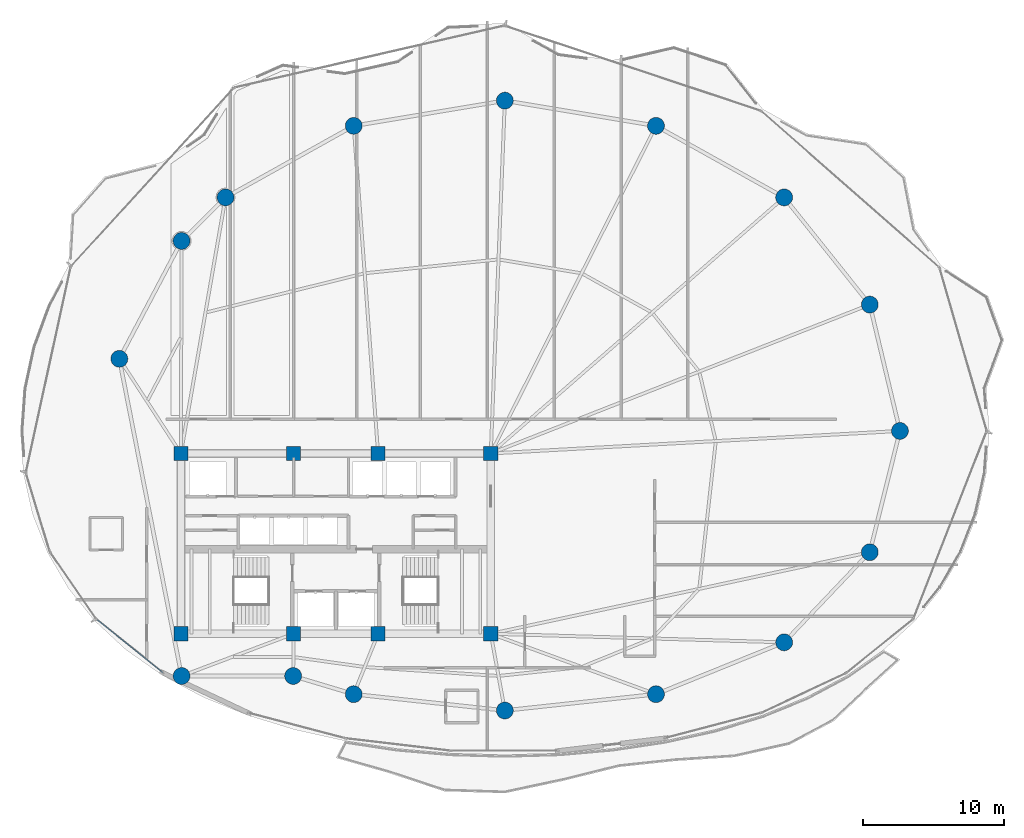
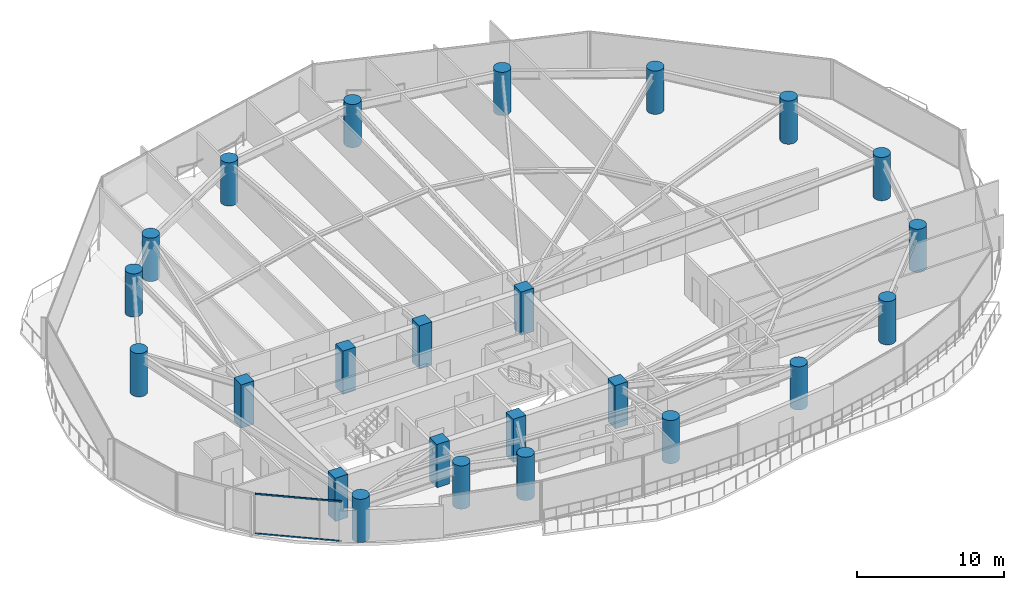
# One storey, part 1 of 34: 24 columns, 2 members, 1 element without a shape of its own.
"""IFC4 building model written with IfcOpenShell, lengths in metres."""

from ifc_helpers import new_model, si_unit, direction, frame, origin, origin_2d, place, context, subcontext, project, spatial, rectangle, hollow_rectangle, circle, extrude, material, layer, layer_set, material_profile, profile_set, type_object, element, aggregate, save


model = new_model("IFC4")

# Units and contexts
model_context = context("Model", 3, precision=1e-05, world=origin(), true_north=direction((0.0, 1.0)))
body_context = subcontext(model_context, "Body", "Model", "MODEL_VIEW")
ifc_project = project(units=[si_unit("LENGTHUNIT", "METRE"), si_unit("AREAUNIT", "SQUARE_METRE"), si_unit("VOLUMEUNIT", "CUBIC_METRE"), si_unit("PLANEANGLEUNIT", "RADIAN"), si_unit("MASSUNIT", "GRAM", prefix="KILO")], contexts=[model_context])

# Site, building, storey
site_placement = place(None, origin())
site = spatial("IfcSite", under=ifc_project, at=site_placement, CompositionType="ELEMENT")
building_placement = place(site_placement, origin())
building = spatial("IfcBuilding", under=site, at=building_placement, Name="Kazevale Care Tower and Concert Hall", CompositionType="ELEMENT")
storey_placement = place(building_placement, frame((0.0, 0.0, 174.60009765625)))
storey = spatial("IfcBuildingStorey", under=building, at=storey_placement, Name="L46", CompositionType="ELEMENT", Elevation=174.60009765625)

# Columns
ifc_material_1 = material(Name="Concrete C60", Category="concrete")
ifc_material_profile_1 = material_profile(ifc_material_1, rectangle(XDim=1.0, YDim=1.0, at=origin_2d()), Name="RC-SQ1000")
ifc_profile_set_1 = profile_set([ifc_material_profile_1], Name="Concrete C60")
column_type_1 = type_object("IfcColumnType", Name="Core Column SQ1000 C60", PredefinedType="COLUMN", material=ifc_profile_set_1)
for number, where, z_axis, x_axis, name in (
    (1, (22.0, 23.60009765625, 0.0), (0.0, 0.0, 1.0), (1.0, 0.0, 0.0), "col:L46:CC-01"),
    (2, (30.0, 23.60009765625, 0.0), (0.0, 0.0, 1.0), (1.0, 0.0, 0.0), "col:L46:CC-02"),
    (3, (36.0, 23.60009765625, 0.0), (0.0, 0.0, 1.0), (1.0, 0.0, 0.0), "col:L46:CC-03"),
    (4, (44.0, 23.60009765625, 0.0), (0.0, 0.0, 1.0), (1.0, 0.0, 0.0), "col:L46:CC-04"),
    (5, (44.0, 36.39990234375, 0.0), (0.0, 0.0, 1.0), (1.0, 0.0, 0.0), "col:L46:CC-05"),
    (6, (36.0, 36.39990234375, 0.0), (0.0, 0.0, 1.0), (1.0, 0.0, 0.0), "col:L46:CC-06"),
    (7, (30.0, 36.39990234375, 0.0), (0.0, 0.0, 1.0), (1.0, 0.0, 0.0), "col:L46:CC-07"),
    (8, (22.0, 36.39990234375, 0.0), (0.0, 0.0, 1.0), (1.0, 0.0, 0.0), "col:L46:CC-08"),
):
    element("IfcColumn", number, at=place(storey_placement, frame(where, z_axis=z_axis, x_axis=x_axis)), inside=storey, type_object=column_type_1, Name=name, PredefinedType="COLUMN", context=body_context, shape_type="SweptSolid", body=[
        extrude(rectangle(XDim=1.0, YDim=1.0, at=origin_2d()), origin(), (0.0, 0.0, 1.0), 3.599853515625),
    ])
ifc_material_profile_2 = material_profile(ifc_material_1, circle(Radius=0.60009765625, at=origin_2d()), Name="RC-CIR1200")
ifc_profile_set_2 = profile_set([ifc_material_profile_2], Name="Concrete C60")
column_type_2 = type_object("IfcColumnType", Name="Perimeter Column CIR1200 C60", PredefinedType="COLUMN", material=ifc_profile_set_2)
for number, where, z_axis, x_axis, name in (
    (9, (73.050048828125, 38.0, 0.0), (0.0, 0.0, 1.0), (1.0, 0.0, 0.0), "col:L46:PC-01"),
    (10, (70.909912109375, 46.969970703125, 0.0), (0.0, 0.0, 1.0), (1.0, 0.0, 0.0), "col:L46:PC-02"),
    (11, (64.830078125, 54.580078125, 0.0), (0.0, 0.0, 1.0), (1.0, 0.0, 0.0), "col:L46:PC-03"),
    (12, (55.72998046875, 59.659912109375, 0.0), (0.0, 0.0, 1.0), (1.0, 0.0, 0.0), "col:L46:PC-04"),
    (13, (45.0, 61.449951171875, 0.0), (0.0, 0.0, 1.0), (1.0, 0.0, 0.0), "col:L46:PC-05"),
    (14, (34.27001953125, 59.659912109375, 0.0), (0.0, 0.0, 1.0), (1.0, 0.0, 0.0), "col:L46:PC-06"),
    (15, (25.169921875, 54.580078125, 0.0), (0.0, 0.0, 1.0), (1.0, 0.0, 0.0), "col:L46:PC-07"),
    (16, (22.050048828125, 51.489990234375, 0.0), (0.0, 0.0, 1.0), (1.0, 0.0, 0.0), "col:L46:PC-08"),
    (17, (17.6298828125, 43.1201171875, 0.0), (0.0, 0.0, 1.0), (1.0, 0.0, 0.0), "col:L46:PC-09"),
    (18, (22.050048828125, 20.60009765625, 0.0), (0.0, 0.0, 1.0), (1.0, 0.0, 0.0), "col:L46:PC-10"),
    (19, (29.969970703125, 20.60009765625, 0.0), (0.0, 0.0, 1.0), (1.0, 0.0, 0.0), "col:L46:PC-11"),
    (20, (34.27001953125, 19.31005859375, 0.0), (0.0, 0.0, 1.0), (1.0, 0.0, 0.0), "col:L46:PC-12"),
    (21, (45.0, 18.14990234375, 0.0), (0.0, 0.0, 1.0), (1.0, 0.0, 0.0), "col:L46:PC-13"),
    (22, (55.72998046875, 19.31005859375, 0.0), (0.0, 0.0, 1.0), (1.0, 0.0, 0.0), "col:L46:PC-14"),
    (23, (64.830078125, 22.989990234375, 0.0), (0.0, 0.0, 1.0), (1.0, 0.0, 0.0), "col:L46:PC-15"),
    (24, (70.909912109375, 29.389892578125, 0.0), (0.0, 0.0, 1.0), (1.0, 0.0, 0.0), "col:L46:PC-16"),
):
    element("IfcColumn", number, at=place(storey_placement, frame(where, z_axis=z_axis, x_axis=x_axis)), inside=storey, type_object=column_type_2, Name=name, PredefinedType="COLUMN", context=body_context, shape_type="SweptSolid", body=[
        extrude(circle(Radius=0.60009765625, at=origin_2d()), origin(), (0.0, 0.0, 1.0), 3.599853515625),
    ])

# Curtain wall, members
ifc_material_2 = material(Name="Aluminium 6063-T6 and Low-E Glass", Category="aluminium")
ifc_layer = layer(ifc_material_2, 0.179931640625)
ifc_layer_set = layer_set([ifc_layer], Name="Aluminium 6063-T6 and Low-E Glass")
curtain_wall_type = type_object("IfcCurtainWallType", Name="Sheltered Concave Balcony Curtain Wall CW-5", PredefinedType="NOTDEFINED", material=ifc_layer_set)
curtain_wall_placement = place(storey_placement, origin())
curtain_wall = element("IfcCurtainWall", 25, at=curtain_wall_placement, inside=storey, type_object=curtain_wall_type, Name="cw:L46:f10", PredefinedType="NOTDEFINED")
ifc_material_3 = material(Name="Aluminium 6063-T6", Category="aluminium")
ifc_material_profile_3 = material_profile(ifc_material_3, hollow_rectangle(XDim=0.074951171875, YDim=0.1201171875, WallThickness=0.00390625, at=origin_2d()), Name="ALU75x120x4")
ifc_profile_set_3 = profile_set([ifc_material_profile_3], Name="Aluminium 6063-T6")
member_type = type_object("IfcMemberType", Name="CW-5 Transom ALU75x120x4", PredefinedType="USERDEFINED", material=ifc_profile_set_3)
member_1_placement = place(storey_placement, frame((20.711669921875, 20.85009765625, 0.037353515625), z_axis=(-0.779097461373, 0.626902819966, 0.0), x_axis=(-0.626902819966, -0.779097461373, 0.0)))
member_1 = element("IfcMember", 26, at=member_1_placement, type_object=member_type, Name="CW-5 transom 1.1", ObjectType="TRANSOM", PredefinedType="USERDEFINED", context=body_context, shape_type="SweptSolid", body=[
    extrude(hollow_rectangle(XDim=0.074951171875, YDim=0.1201171875, WallThickness=0.00390625, at=origin_2d()), origin(), (0.0, 0.0, 1.0), 5.96728515625),
])
member_2_placement = place(storey_placement, frame((20.711669921875, 20.85009765625, 3.322509765625), z_axis=(-0.779097461373, 0.626902819966, 0.0), x_axis=(-0.626902819966, -0.779097461373, 0.0)))
member_2 = element("IfcMember", 27, at=member_2_placement, type_object=member_type, Name="CW-5 transom 1.2", ObjectType="TRANSOM", PredefinedType="USERDEFINED", context=body_context, shape_type="SweptSolid", body=[
    extrude(hollow_rectangle(XDim=0.074951171875, YDim=0.1201171875, WallThickness=0.00390625, at=origin_2d()), origin(), (0.0, 0.0, 1.0), 5.96728515625),
])
aggregate(curtain_wall, [member_1, member_2])

save(model, "model.ifc")
